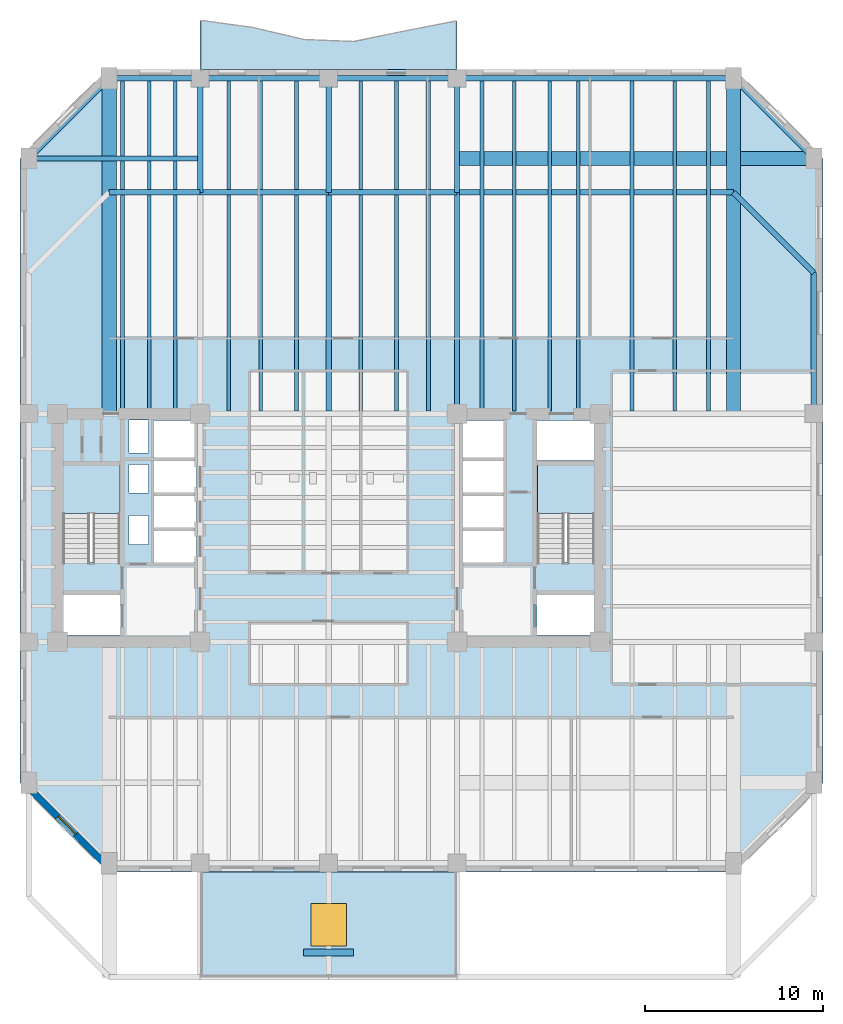
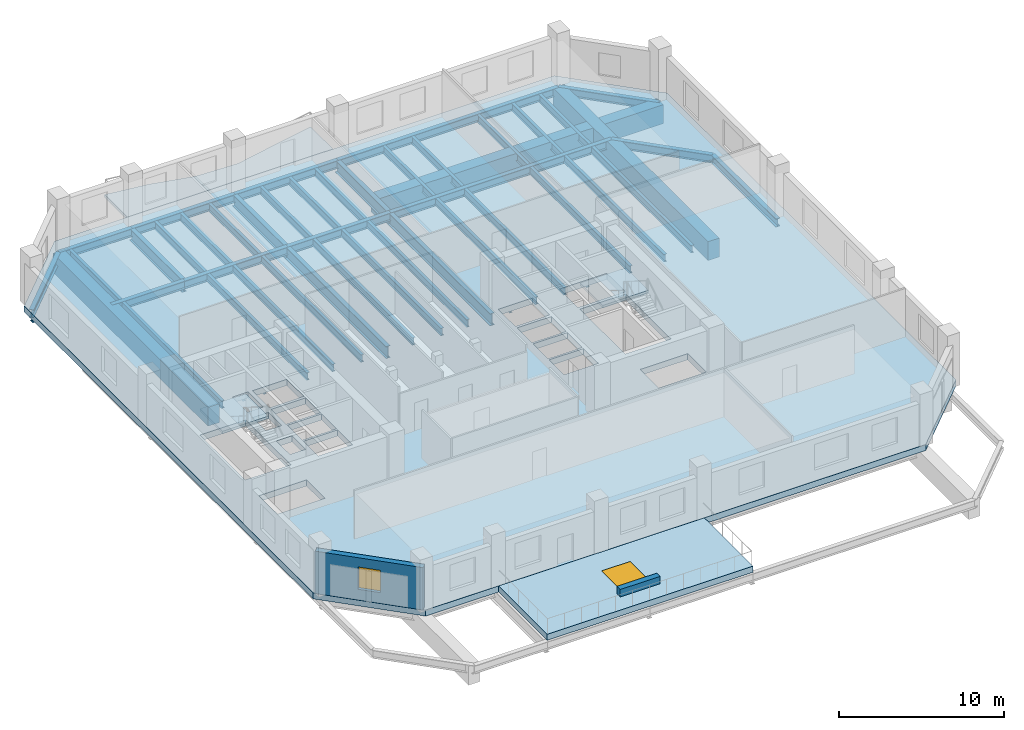
# One storey, part 2 of 10: 37 beams, 5 slabs, 2 walls, 2 windows, 2 openings, 2 elements without a shape of their own.
"""IFC4 building model written with IfcOpenShell, lengths in metres."""

from ifc_helpers import new_model, si_unit, direction, frame, frame_2d, origin, origin_2d, place, context, subcontext, project, spatial, polyline, rectangle, i_section, outline, extrude, material, layer, layer_set, material_profile, profile_set, type_object, element, fill, aggregate, save


model = new_model("IFC4")

# Units and contexts
model_context = context("Model", 3, precision=1e-05, world=origin(), true_north=direction((0.0, 1.0)))
body_context = subcontext(model_context, "Body", "Model", "MODEL_VIEW")
ifc_project = project(units=[si_unit("LENGTHUNIT", "METRE"), si_unit("AREAUNIT", "SQUARE_METRE"), si_unit("VOLUMEUNIT", "CUBIC_METRE"), si_unit("PLANEANGLEUNIT", "RADIAN"), si_unit("MASSUNIT", "GRAM", prefix="KILO")], contexts=[model_context])

# Site, building, storey
site_placement = place(None, origin())
site = spatial("IfcSite", under=ifc_project, at=site_placement, CompositionType="ELEMENT")
building_placement = place(site_placement, origin())
building = spatial("IfcBuilding", under=site, at=building_placement, Name="Kranthara Brick Stack", CompositionType="ELEMENT")
storey_placement = place(building_placement, frame((0.0, 0.0, 71.10009765625)))
storey = spatial("IfcBuildingStorey", under=building, at=storey_placement, Name="L17", CompositionType="ELEMENT", Elevation=71.10009765625)

# Beams
ifc_material_1 = material(Name="Steel S355", Category="steel")
ifc_material_profile_1 = material_profile(ifc_material_1, i_section(OverallWidth=0.2099609375, OverallDepth=0.550048828125, WebThickness=0.010986328125, FlangeThickness=0.01708984375, at=origin_2d()), Name="IPE 550")
ifc_profile_set_1 = profile_set([ifc_material_profile_1], Name="Steel S355")
beam_type_1 = type_object("IfcBeamType", Name="BM-JST-IPE550", PredefinedType="JOIST", material=ifc_profile_set_1)
for number, where, z_axis, x_axis, name in (
    (1, (16.449951171875, 33.75, -0.72509765625), (0.0, 1.0, 0.0), (-1.0, 0.0, 0.0), "L17 North Wing Floor Joist 076"),
    (2, (17.949951171875, 33.75, -0.72509765625), (0.0, 1.0, 0.0), (-1.0, 0.0, 0.0), "L17 North Wing Floor Joist 078"),
    (3, (19.39990234375, 33.75, -0.72509765625), (0.0, 1.0, 0.0), (-1.0, 0.0, 0.0), "L17 North Wing Floor Joist 080"),
    (4, (22.39990234375, 33.75, -0.72509765625), (0.0, 1.0, 0.0), (-1.0, 0.0, 0.0), "L17 North Wing Floor Joist 082"),
    (5, (24.199951171875, 33.75, -0.72509765625), (0.0, 1.0, 0.0), (-1.0, 0.0, 0.0), "L17 North Wing Floor Joist 084"),
    (6, (26.199951171875, 33.75, -0.72509765625), (0.0, 1.0, 0.0), (-1.0, 0.0, 0.0), "L17 North Wing Floor Joist 086"),
    (7, (29.800048828125, 33.75, -0.72509765625), (0.0, 1.0, 0.0), (-1.0, 0.0, 0.0), "L17 North Wing Floor Joist 088"),
    (8, (31.800048828125, 33.75, -0.72509765625), (0.0, 1.0, 0.0), (-1.0, 0.0, 0.0), "L17 North Wing Floor Joist 090"),
    (9, (33.60009765625, 33.75, -0.72509765625), (0.0, 1.0, 0.0), (-1.0, 0.0, 0.0), "L17 North Wing Floor Joist 092"),
    (10, (36.60009765625, 33.75, -0.72509765625), (0.0, 1.0, 0.0), (-1.0, 0.0, 0.0), "L17 North Wing Floor Joist 094"),
    (11, (38.39990234375, 33.75, -0.72509765625), (0.0, 1.0, 0.0), (-1.0, 0.0, 0.0), "L17 North Wing Floor Joist 096"),
    (12, (40.39990234375, 33.75, -0.72509765625), (0.0, 1.0, 0.0), (-1.0, 0.0, 0.0), "L17 North Wing Floor Joist 098"),
    (13, (42.0, 33.75, -0.72509765625), (0.0, 1.0, 0.0), (-1.0, 0.0, 0.0), "L17 North Wing Floor Joist 100"),
    (14, (45.0, 33.75, -0.72509765625), (0.0, 1.0, 0.0), (-1.0, 0.0, 0.0), "L17 North Wing Floor Joist 102"),
    (15, (47.39990234375, 33.75, -0.72509765625), (0.0, 1.0, 0.0), (-1.0, 0.0, 0.0), "L17 North Wing Floor Joist 104"),
    (16, (49.300048828125, 33.75, -0.72509765625), (0.0, 1.0, 0.0), (-1.0, 0.0, 0.0), "L17 North Wing Floor Joist 106"),
):
    element("IfcBeam", number, at=place(storey_placement, frame(where, z_axis=z_axis, x_axis=x_axis)), inside=storey, type_object=beam_type_1, Name=name, PredefinedType="JOIST", context=body_context, shape_type="SweptSolid", body=[
        extrude(i_section(OverallWidth=0.2099609375, OverallDepth=0.550048828125, WebThickness=0.010986328125, FlangeThickness=0.01708984375, at=origin_2d()), origin(), (0.0, 0.0, 1.0), 18.5),
    ])
ifc_material_2 = material(Name="Steel S355", Category="steel")
ifc_material_profile_2 = material_profile(ifc_material_2, i_section(OverallWidth=0.300048828125, OverallDepth=0.60009765625, WebThickness=0.015380859375, FlangeThickness=0.030029296875, at=origin_2d()), Name="HEB 600")
ifc_profile_set_2 = profile_set([ifc_material_profile_2], Name="Steel S355")
beam_type_2 = type_object("IfcBeamType", Name="BM-STL-HEB600", PredefinedType="BEAM", material=ifc_profile_set_2)
beam_1_placement = place(storey_placement, frame((15.699951171875, 46.0, -0.75), z_axis=(1.0, 0.0, 0.0), x_axis=(0.0, 1.0, 0.0)))
element("IfcBeam", 17, at=beam_1_placement, inside=storey, type_object=beam_type_2, Name="L17 Perimeter Spandrel Beam 009", PredefinedType="BEAM", context=body_context, shape_type="SweptSolid", body=[
    extrude(i_section(OverallWidth=0.300048828125, OverallDepth=0.60009765625, WebThickness=0.015380859375, FlangeThickness=0.030029296875, at=origin_2d()), origin(), (0.0, 0.0, 1.0), 5.10009765625),
])
for number, where, z_axis, x_axis, name in (
    (18, (20.800048828125, 46.0, -0.75), (1.0, 0.0, 0.0), (0.0, 1.0, 0.0), "L17 Perimeter Spandrel Beam 010"),
    (19, (28.0, 46.0, -0.75), (1.0, 0.0, 0.0), (0.0, 1.0, 0.0), "L17 Perimeter Spandrel Beam 011"),
):
    element("IfcBeam", number, at=place(storey_placement, frame(where, z_axis=z_axis, x_axis=x_axis)), inside=storey, type_object=beam_type_2, Name=name, PredefinedType="BEAM", context=body_context, shape_type="SweptSolid", body=[
        extrude(i_section(OverallWidth=0.300048828125, OverallDepth=0.60009765625, WebThickness=0.015380859375, FlangeThickness=0.030029296875, at=origin_2d()), origin(), (0.0, 0.0, 1.0), 7.199951171875),
    ])
beam_2_placement = place(storey_placement, frame((35.199951171875, 46.0, -0.75), z_axis=(1.0, 0.0, 0.0), x_axis=(0.0, 1.0, 0.0)))
element("IfcBeam", 20, at=beam_2_placement, inside=storey, type_object=beam_type_2, Name="L17 Perimeter Spandrel Beam 012", PredefinedType="BEAM", context=body_context, shape_type="SweptSolid", body=[
    extrude(i_section(OverallWidth=0.300048828125, OverallDepth=0.60009765625, WebThickness=0.015380859375, FlangeThickness=0.030029296875, at=origin_2d()), origin(), (0.0, 0.0, 1.0), 15.5),
])
beam_3_placement = place(storey_placement, frame((55.199951171875, 33.60009765625, -0.75), z_axis=(0.0, 1.0, 0.0), x_axis=(-1.0, 0.0, 0.0)))
element("IfcBeam", 21, at=beam_3_placement, inside=storey, type_object=beam_type_2, Name="L17 Perimeter Spandrel Beam 018", PredefinedType="BEAM", context=body_context, shape_type="SweptSolid", body=[
    extrude(i_section(OverallWidth=0.300048828125, OverallDepth=0.60009765625, WebThickness=0.015380859375, FlangeThickness=0.030029296875, at=origin_2d()), origin(), (0.0, 0.0, 1.0), 7.89990234375),
])
beam_4_placement = place(storey_placement, frame((50.699951171875, 46.0, -0.75), z_axis=(0.707106781187, -0.707106781187, 0.0), x_axis=(0.707106781187, 0.707106781187, 0.0)))
element("IfcBeam", 22, at=beam_4_placement, inside=storey, type_object=beam_type_2, Name="L17 Chamfer Corner Spandrel 022", PredefinedType="BEAM", context=body_context, shape_type="SweptSolid", body=[
    extrude(i_section(OverallWidth=0.300048828125, OverallDepth=0.60009765625, WebThickness=0.015380859375, FlangeThickness=0.030029296875, at=origin_2d()), origin(), (0.0, 0.0, 1.0), 6.364013671875),
])
beam_5_placement = place(storey_placement, frame((15.699951171875, 52.39990234375, -0.75), z_axis=(1.0, 0.0, 0.0), x_axis=(0.0, 1.0, 0.0)))
element("IfcBeam", 23, at=beam_5_placement, inside=storey, type_object=beam_type_2, Name="L17 Perimeter Spandrel Beam 027", PredefinedType="BEAM", context=body_context, shape_type="SweptSolid", body=[
    extrude(i_section(OverallWidth=0.300048828125, OverallDepth=0.60009765625, WebThickness=0.015380859375, FlangeThickness=0.030029296875, at=origin_2d()), origin(), (0.0, 0.0, 1.0), 5.10009765625),
])
for number, where, z_axis, x_axis, name in (
    (24, (20.800048828125, 52.39990234375, -0.75), (1.0, 0.0, 0.0), (0.0, 1.0, 0.0), "L17 Perimeter Spandrel Beam 028"),
    (25, (28.0, 52.39990234375, -0.75), (1.0, 0.0, 0.0), (0.0, 1.0, 0.0), "L17 Perimeter Spandrel Beam 029"),
):
    element("IfcBeam", number, at=place(storey_placement, frame(where, z_axis=z_axis, x_axis=x_axis)), inside=storey, type_object=beam_type_2, Name=name, PredefinedType="BEAM", context=body_context, shape_type="SweptSolid", body=[
        extrude(i_section(OverallWidth=0.300048828125, OverallDepth=0.60009765625, WebThickness=0.015380859375, FlangeThickness=0.030029296875, at=origin_2d()), origin(), (0.0, 0.0, 1.0), 7.199951171875),
    ])
beam_6_placement = place(storey_placement, frame((35.199951171875, 52.39990234375, -0.75), z_axis=(1.0, 0.0, 0.0), x_axis=(0.0, 1.0, 0.0)))
element("IfcBeam", 26, at=beam_6_placement, inside=storey, type_object=beam_type_2, Name="L17 Perimeter Spandrel Beam 030", PredefinedType="BEAM", context=body_context, shape_type="SweptSolid", body=[
    extrude(i_section(OverallWidth=0.300048828125, OverallDepth=0.60009765625, WebThickness=0.015380859375, FlangeThickness=0.030029296875, at=origin_2d()), origin(), (0.0, 0.0, 1.0), 15.5),
])
for number, where, z_axis, x_axis, name in (
    (27, (15.699951171875, 52.39990234375, -0.75), (-0.707106781187, -0.707106781187, 0.0), (0.707106781187, -0.707106781187, 0.0), "L17 Chamfer Corner Spandrel 033"),
    (28, (50.699951171875, 52.39990234375, -0.75), (0.707106781187, -0.707106781187, 0.0), (0.707106781187, 0.707106781187, 0.0), "L17 Chamfer Corner Spandrel 034"),
):
    element("IfcBeam", number, at=place(storey_placement, frame(where, z_axis=z_axis, x_axis=x_axis)), inside=storey, type_object=beam_type_2, Name=name, PredefinedType="BEAM", context=body_context, shape_type="SweptSolid", body=[
        extrude(i_section(OverallWidth=0.300048828125, OverallDepth=0.60009765625, WebThickness=0.015380859375, FlangeThickness=0.030029296875, at=origin_2d()), origin(), (0.0, 0.0, 1.0), 6.364013671875),
    ])
ifc_material_3 = material(Name="Steel S460", Category="steel")
ifc_material_profile_3 = material_profile(ifc_material_3, i_section(OverallWidth=0.300048828125, OverallDepth=0.89990234375, WebThickness=0.0185546875, FlangeThickness=0.034912109375, at=origin_2d()), Name="HEB 900")
ifc_profile_set_3 = profile_set([ifc_material_profile_3], Name="Steel S460")
beam_type_3 = type_object("IfcBeamType", Name="BM-TR-HEB900", PredefinedType="BEAM", material=ifc_profile_set_3)
beam_7_placement = place(storey_placement, frame((20.800048828125, 46.0, -0.900146484375), z_axis=(0.0, 1.0, 0.0), x_axis=(-1.0, 0.0, 0.0)))
element("IfcBeam", 29, at=beam_7_placement, inside=storey, type_object=beam_type_3, Name="L17 Primary Grid Girder 037", PredefinedType="BEAM", context=body_context, shape_type="SweptSolid", body=[
    extrude(i_section(OverallWidth=0.300048828125, OverallDepth=0.89990234375, WebThickness=0.0185546875, FlangeThickness=0.034912109375, at=origin_2d()), origin(), (0.0, 0.0, 1.0), 6.39990234375),
])
beam_8_placement = place(storey_placement, frame((28.0, 33.75, -0.900146484375), z_axis=(0.0, 1.0, 0.0), x_axis=(-1.0, 0.0, 0.0)))
element("IfcBeam", 30, at=beam_8_placement, inside=storey, type_object=beam_type_3, Name="L17 Primary Grid Girder 040", PredefinedType="BEAM", context=body_context, shape_type="SweptSolid", body=[
    extrude(i_section(OverallWidth=0.300048828125, OverallDepth=0.89990234375, WebThickness=0.0185546875, FlangeThickness=0.034912109375, at=origin_2d()), origin(), (0.0, 0.0, 1.0), 12.25),
])
beam_9_placement = place(storey_placement, frame((28.0, 46.0, -0.900146484375), z_axis=(0.0, 1.0, 0.0), x_axis=(-1.0, 0.0, 0.0)))
element("IfcBeam", 31, at=beam_9_placement, inside=storey, type_object=beam_type_3, Name="L17 Primary Grid Girder 041", PredefinedType="BEAM", context=body_context, shape_type="SweptSolid", body=[
    extrude(i_section(OverallWidth=0.300048828125, OverallDepth=0.89990234375, WebThickness=0.0185546875, FlangeThickness=0.034912109375, at=origin_2d()), origin(), (0.0, 0.0, 1.0), 6.39990234375),
])
beam_10_placement = place(storey_placement, frame((35.199951171875, 33.60009765625, -0.900146484375), z_axis=(0.0, 1.0, 0.0), x_axis=(-1.0, 0.0, 0.0)))
element("IfcBeam", 32, at=beam_10_placement, inside=storey, type_object=beam_type_3, Name="L17 Primary Grid Girder 043", PredefinedType="BEAM", context=body_context, shape_type="SweptSolid", body=[
    extrude(i_section(OverallWidth=0.300048828125, OverallDepth=0.89990234375, WebThickness=0.0185546875, FlangeThickness=0.034912109375, at=origin_2d()), origin(), (0.0, 0.0, 1.0), 12.39990234375),
])
beam_11_placement = place(storey_placement, frame((35.199951171875, 46.0, -0.900146484375), z_axis=(0.0, 1.0, 0.0), x_axis=(-1.0, 0.0, 0.0)))
element("IfcBeam", 33, at=beam_11_placement, inside=storey, type_object=beam_type_3, Name="L17 Primary Grid Girder 044", PredefinedType="BEAM", context=body_context, shape_type="SweptSolid", body=[
    extrude(i_section(OverallWidth=0.300048828125, OverallDepth=0.89990234375, WebThickness=0.0185546875, FlangeThickness=0.034912109375, at=origin_2d()), origin(), (0.0, 0.0, 1.0), 6.39990234375),
])
beam_12_placement = place(storey_placement, frame((11.199951171875, 47.89990234375, -0.900146484375), z_axis=(1.0, 0.0, 0.0), x_axis=(0.0, 1.0, 0.0)))
element("IfcBeam", 34, at=beam_12_placement, inside=storey, type_object=beam_type_3, Name="L17 Transfer Tie Girder 055", PredefinedType="BEAM", context=body_context, shape_type="SweptSolid", body=[
    extrude(i_section(OverallWidth=0.300048828125, OverallDepth=0.89990234375, WebThickness=0.0185546875, FlangeThickness=0.034912109375, at=origin_2d()), origin(), (0.0, 0.0, 1.0), 9.60009765625),
])
ifc_material_4 = material(Name="Post-tensioned concrete C50/60", Category="concrete")
ifc_material_profile_4 = material_profile(ifc_material_4, rectangle(XDim=0.800048828125, YDim=1.39990234375, at=origin_2d()), Name="PT 800x1400")
ifc_profile_set_4 = profile_set([ifc_material_profile_4], Name="Post-tensioned concrete C50/60")
beam_type_4 = type_object("IfcBeamType", Name="BM-TR-PT1400", PredefinedType="T_BEAM", material=ifc_profile_set_4)
for number, where, z_axis, x_axis, name in (
    (35, (15.699951171875, 52.39990234375, -1.150146484375), (0.0, -1.0, 0.0), (1.0, 0.0, 0.0), "L17 Transfer Tie Girder 050"),
    (36, (50.699951171875, 52.39990234375, -1.150146484375), (0.0, -1.0, 0.0), (1.0, 0.0, 0.0), "L17 Transfer Tie Girder 052"),
):
    element("IfcBeam", number, at=place(storey_placement, frame(where, z_axis=z_axis, x_axis=x_axis)), inside=storey, type_object=beam_type_4, Name=name, PredefinedType="T_BEAM", context=body_context, shape_type="SweptSolid", body=[
        extrude(rectangle(XDim=0.800048828125, YDim=1.39990234375, at=origin_2d()), origin(), (0.0, 0.0, 1.0), 18.7998046875),
    ])
beam_13_placement = place(storey_placement, frame((55.199951171875, 47.89990234375, -1.150146484375), z_axis=(-1.0, 0.0, 0.0), x_axis=(0.0, -1.0, 0.0)))
element("IfcBeam", 37, at=beam_13_placement, inside=storey, type_object=beam_type_4, Name="L17 Transfer Tie Girder 056", PredefinedType="T_BEAM", context=body_context, shape_type="SweptSolid", body=[
    extrude(rectangle(XDim=0.800048828125, YDim=1.39990234375, at=origin_2d()), origin(), (0.0, 0.0, 1.0), 20.0),
])

# Slab
ifc_material_5 = material(Name="Concrete C45/55", Category="concrete")
ifc_layer_1 = layer(ifc_material_5, 0.219970703125)
ifc_layer_set_1 = layer_set([ifc_layer_1], Name="Concrete C45/55")
slab_type_1 = type_object("IfcSlabType", Name="SLB-BALC-220", PredefinedType="FLOOR", material=ifc_layer_set_1)
slab_1_placement = place(storey_placement, frame((0.0, 0.0, -0.22021484375)))
element("IfcSlab", 38, at=slab_1_placement, inside=storey, type_object=slab_type_1, Name="L17 North Rippling Balcony Slab", PredefinedType="FLOOR", context=body_context, shape_type="SweptSolid", body=[
    extrude(outline(polyline([(35.199951171875, 52.89990234375), (20.800048828125, 52.89990234375), (20.800048828125, 55.64990234375), (23.679931640625, 55.257080078125), (26.56005859375, 54.572265625), (29.43994140625, 54.456787109375), (32.320068359375, 55.055908203125), (35.199951171875, 55.6162109375), (35.199951171875, 52.89990234375)])), origin(), (0.0, 0.0, 1.0), 0.22021484375),
])

# Stair, slab
ifc_material_6 = material(Name="Concrete C45/55", Category="concrete")
stair_type = type_object("IfcStairType", Name="ST-CORE-22R", PredefinedType="HALF_TURN_STAIR", material=ifc_material_6)
stair_1_placement = place(storey_placement, origin())
stair_1 = element("IfcStair", 39, at=stair_1_placement, inside=storey, type_object=stair_type, Name="L17 West Core Protected Exit Stair ST01", PredefinedType="HALF_TURN_STAIR")
ifc_material_7 = material(Name="Concrete C45/55", Category="concrete")
ifc_layer_2 = layer(ifc_material_7, 0.199951171875)
ifc_layer_set_2 = layer_set([ifc_layer_2], Name="Concrete C45/55")
slab_type_2 = type_object("IfcSlabType", Name="SLB-LANDING-200", PredefinedType="LANDING", material=ifc_layer_set_2)
slab_2_placement = place(storey_placement, frame((0.0, 0.0, 1.75)))
slab_2 = element("IfcSlab", 40, at=slab_2_placement, type_object=slab_type_2, Name="ST01 landing 1", PredefinedType="LANDING", context=body_context, shape_type="SweptSolid", body=[
    extrude(outline(polyline([(16.300048828125, 28.0), (16.300048828125, 30.75), (13.10009765625, 30.75), (13.10009765625, 28.0), (16.300048828125, 28.0)])), origin(), (0.0, 0.0, 1.0), 0.199951171875),
])
aggregate(stair_1, [slab_2])

stair_2_placement = place(storey_placement, origin())
stair_2 = element("IfcStair", 41, at=stair_2_placement, inside=storey, type_object=stair_type, Name="L17 East Core Protected Exit Stair ST02", PredefinedType="HALF_TURN_STAIR")
slab_3_placement = place(storey_placement, frame((0.0, 0.0, 1.75)))
slab_3 = element("IfcSlab", 42, at=slab_3_placement, type_object=slab_type_2, Name="ST02 landing 1", PredefinedType="LANDING", context=body_context, shape_type="SweptSolid", body=[
    extrude(outline(polyline([(42.89990234375, 28.0), (42.89990234375, 30.75), (39.699951171875, 30.75), (39.699951171875, 28.0), (42.89990234375, 28.0)])), origin(), (0.0, 0.0, 1.0), 0.199951171875),
])
aggregate(stair_2, [slab_3])

# Slab, opening, window
ifc_material_8 = material(Name="Concrete C45/55", Category="concrete")
ifc_layer_3 = layer(ifc_material_8, 0.449951171875)
ifc_layer_set_3 = layer_set([ifc_layer_3], Name="Concrete C45/55")
slab_type_3 = type_object("IfcSlabType", Name="SLB-TERR-450", PredefinedType="ROOF", material=ifc_layer_set_3)
slab_4_placement = place(storey_placement, frame((0.0, 0.0, -0.4501953125)))
slab_4 = element("IfcSlab", 43, at=slab_4_placement, inside=storey, type_object=slab_type_3, Name="L17 South Planted Sky Garden", PredefinedType="ROOF", context=body_context, shape_type="SweptSolid", body=[
    extrude(outline(polyline([(20.800048828125, 2.0), (35.199951171875, 2.0), (35.199951171875, 7.89990234375), (20.800048828125, 7.89990234375), (20.800048828125, 2.0)]), holes=[polyline([(27.0, 3.75), (29.0, 3.75), (29.0, 6.14990234375), (27.0, 6.14990234375), (27.0, 3.75)])]), origin(), (0.0, 0.0, 1.0), 0.4501953125),
])
opening_1_placement = place(slab_4_placement, frame((28.0, 4.949951171875, 0.0)))
opening_1 = element("IfcOpeningElement", 44, at=opening_1_placement, cuts=slab_4, Name="Opening WN12", PredefinedType="OPENING", context=body_context, shape_type="SweptSolid", body=[
    extrude(rectangle(XDim=2.0, YDim=2.39990234375, at=origin_2d()), origin(), (0.0, 0.0, 1.0), 0.4501953125),
])
ifc_material_9 = material(Name="Double-glazed low-E solar control glass", Category="glass")
window_type_1 = type_object("IfcWindowType", Name="WN-SKY-2000x2400", PartitioningType="SINGLE_PANEL", PredefinedType="SKYLIGHT", material=ifc_material_9)
window_1_placement = place(opening_1_placement, frame((0.0, 0.0, 0.400146484375)))
window_1 = element("IfcWindow", 45, at=window_1_placement, inside=storey, type_object=window_type_1, Name="L17 Terrace Roof Skylight 04", OverallHeight=2.39990234375, OverallWidth=2.0, PartitioningType="SINGLE_PANEL", PredefinedType="SKYLIGHT", context=body_context, shape_type="SweptSolid", body=[
    extrude(rectangle(XDim=2.0, YDim=2.39990234375, at=origin_2d()), origin(), (0.0, 0.0, 1.0), 0.050048828125),
])
fill(opening_1, window_1)

# Slab
ifc_material_10 = material(Name="Post-tensioned concrete C50/60", Category="concrete")
ifc_layer_4 = layer(ifc_material_10, 0.449951171875)
ifc_layer_set_4 = layer_set([ifc_layer_4], Name="Post-tensioned concrete C50/60")
slab_type_4 = type_object("IfcSlabType", Name="SLB-TRANS-450", PredefinedType="FLOOR", material=ifc_layer_set_4)
slab_5_placement = place(storey_placement, frame((0.0, 0.0, -0.4501953125)))
element("IfcSlab", 46, at=slab_5_placement, inside=storey, type_object=slab_type_4, Name="L17 Structural Floor Plate", PredefinedType="FLOOR", context=body_context, shape_type="SweptSolid", body=[
    extrude(outline(polyline([(15.699951171875, 7.89990234375), (50.699951171875, 7.89990234375), (55.699951171875, 12.89990234375), (55.699951171875, 47.89990234375), (50.699951171875, 52.89990234375), (15.699951171875, 52.89990234375), (10.699951171875, 47.89990234375), (10.699951171875, 12.89990234375), (15.699951171875, 7.89990234375)]), holes=[polyline([(13.10009765625, 25.280029296875), (16.300048828125, 25.280029296875), (16.300048828125, 30.75), (13.10009765625, 30.75), (13.10009765625, 25.280029296875)]), polyline([(39.699951171875, 25.280029296875), (42.89990234375, 25.280029296875), (42.89990234375, 30.75), (39.699951171875, 30.75), (39.699951171875, 25.280029296875)]), polyline([(13.0, 21.179931640625), (16.320068359375, 21.179931640625), (16.320068359375, 23.419921875), (13.0, 23.419921875), (13.0, 21.179931640625)]), polyline([(39.679931640625, 21.179931640625), (43.0, 21.179931640625), (43.0, 23.419921875), (39.679931640625, 23.419921875), (39.679931640625, 21.179931640625)]), polyline([(39.679931640625, 30.97998046875), (43.0, 30.97998046875), (43.0, 33.219970703125), (39.679931640625, 33.219970703125), (39.679931640625, 30.97998046875)]), polyline([(18.199951171875, 25.25), (20.60009765625, 25.25), (20.60009765625, 27.050048828125), (18.199951171875, 27.050048828125), (18.199951171875, 25.25)]), polyline([(18.199951171875, 27.199951171875), (20.60009765625, 27.199951171875), (20.60009765625, 29.0), (18.199951171875, 29.0), (18.199951171875, 27.199951171875)]), polyline([(18.199951171875, 29.14990234375), (20.60009765625, 29.14990234375), (20.60009765625, 30.949951171875), (18.199951171875, 30.949951171875), (18.199951171875, 29.14990234375)]), polyline([(35.39990234375, 25.25), (37.800048828125, 25.25), (37.800048828125, 27.050048828125), (35.39990234375, 27.050048828125), (35.39990234375, 25.25)]), polyline([(35.39990234375, 27.199951171875), (37.800048828125, 27.199951171875), (37.800048828125, 29.0), (35.39990234375, 29.0), (35.39990234375, 27.199951171875)]), polyline([(35.39990234375, 29.14990234375), (37.800048828125, 29.14990234375), (37.800048828125, 30.949951171875), (35.39990234375, 30.949951171875), (35.39990234375, 29.14990234375)]), polyline([(18.199951171875, 31.14990234375), (20.60009765625, 31.14990234375), (20.60009765625, 33.219970703125), (18.199951171875, 33.219970703125), (18.199951171875, 31.14990234375)]), polyline([(35.39990234375, 31.14990234375), (37.800048828125, 31.14990234375), (37.800048828125, 33.219970703125), (35.39990234375, 33.219970703125), (35.39990234375, 31.14990234375)]), polyline([(16.800048828125, 26.25), (17.89990234375, 26.25), (17.89990234375, 27.89990234375), (16.800048828125, 27.89990234375), (16.800048828125, 26.25)]), polyline([(16.800048828125, 29.14990234375), (17.89990234375, 29.14990234375), (17.89990234375, 30.75), (16.800048828125, 30.75), (16.800048828125, 29.14990234375)]), polyline([(16.800048828125, 31.39990234375), (17.89990234375, 31.39990234375), (17.89990234375, 33.25), (16.800048828125, 33.25), (16.800048828125, 31.39990234375)])]), origin(), (0.0, 0.0, 1.0), 0.4501953125),
])

# Wall, opening, window
ifc_material_11 = material(Name="Kiln-fired clay brick masonry M15", Category="masonry")
ifc_layer_5 = layer(ifc_material_11, 0.3798828125)
ifc_layer_set_5 = layer_set([ifc_layer_5], Name="Kiln-fired clay brick masonry M15")
wall_type_1 = type_object("IfcWallType", Name="WL-BRK-PIER-380", PredefinedType="STANDARD", material=ifc_layer_set_5)
wall_1_placement = place(storey_placement, frame((15.699951171875, 8.110107421875, 0.0), z_axis=(0.0, 0.0, 1.0), x_axis=(-0.707124801467, 0.707088760447, 0.0)))
wall_1 = element("IfcWall", 47, at=wall_1_placement, inside=storey, type_object=wall_type_1, Name="L17 Exterior Brick Facade Wall SW 1", PredefinedType="STANDARD", context=body_context, shape_type="SweptSolid", body=[
    extrude(rectangle(XDim=6.77392578125, YDim=0.3798828125, at=frame_2d((3.386962890625, 0.0))), origin(), (0.0, 0.0, 1.0), 3.135009765625),
])
opening_2_placement = place(wall_1_placement, frame((2.68701171875, 0.0, 0.800048828125)))
opening_2 = element("IfcOpeningElement", 48, at=opening_2_placement, cuts=wall_1, Name="Opening WN10", PredefinedType="OPENING", context=body_context, shape_type="SweptSolid", body=[
    extrude(rectangle(XDim=1.39990234375, YDim=1.64990234375, at=frame_2d((0.699951171875, 0.824951171875))), frame((0.0, 0.199951171875, 0.0), z_axis=(0.0, -1.0, 0.0), x_axis=(1.0, 0.0, 0.0)), (0.0, 0.0, 1.0), 0.39990234375),
])
ifc_material_12 = material(Name="Double-glazed low-E solar control glass", Category="glass")
window_type_2 = type_object("IfcWindowType", Name="WN-CHM-1400x1750", PartitioningType="SINGLE_PANEL", PredefinedType="WINDOW", material=ifc_material_12)
window_2_placement = place(opening_2_placement, origin())
window_2 = element("IfcWindow", 49, at=window_2_placement, inside=storey, type_object=window_type_2, Name="L17 SW Chamfer Corner Window", OverallHeight=1.64990234375, OverallWidth=1.39990234375, PartitioningType="SINGLE_PANEL", PredefinedType="WINDOW", context=body_context, shape_type="SweptSolid", body=[
    extrude(rectangle(XDim=1.39990234375, YDim=1.64990234375, at=frame_2d((0.699951171875, 0.824951171875))), frame((0.0, -0.010009765625, 0.0), z_axis=(0.0, -1.0, 0.0), x_axis=(1.0, 0.0, 0.0)), (0.0, 0.0, 1.0), 0.06005859375),
])
fill(opening_2, window_2)

# Wall
ifc_material_13 = material(Name="Precast concrete C40/50", Category="concrete")
ifc_layer_6 = layer(ifc_material_13, 0.219970703125)
ifc_layer_set_6 = layer_set([ifc_layer_6], Name="Precast concrete C40/50")
wall_type_2 = type_object("IfcWallType", Name="WL-PLN-KERB-220", PredefinedType="PARAPET", material=ifc_layer_set_6)
wall_2_placement = place(storey_placement, frame((26.60009765625, 3.39990234375, 0.0), z_axis=(0.0, 0.0, 1.0), x_axis=(1.0, 0.0, 0.0)))
element("IfcWall", 50, at=wall_2_placement, inside=storey, type_object=wall_type_2, Name="L17 Sky Garden Planted Planter Bed", PredefinedType="PARAPET", context=body_context, shape_type="SweptSolid", body=[
    extrude(rectangle(XDim=2.7998046875, YDim=0.39990234375, at=frame_2d((1.39990234375, 0.0))), origin(), (0.0, 0.0, 1.0), 0.5498046875),
])

save(model, "model.ifc")
